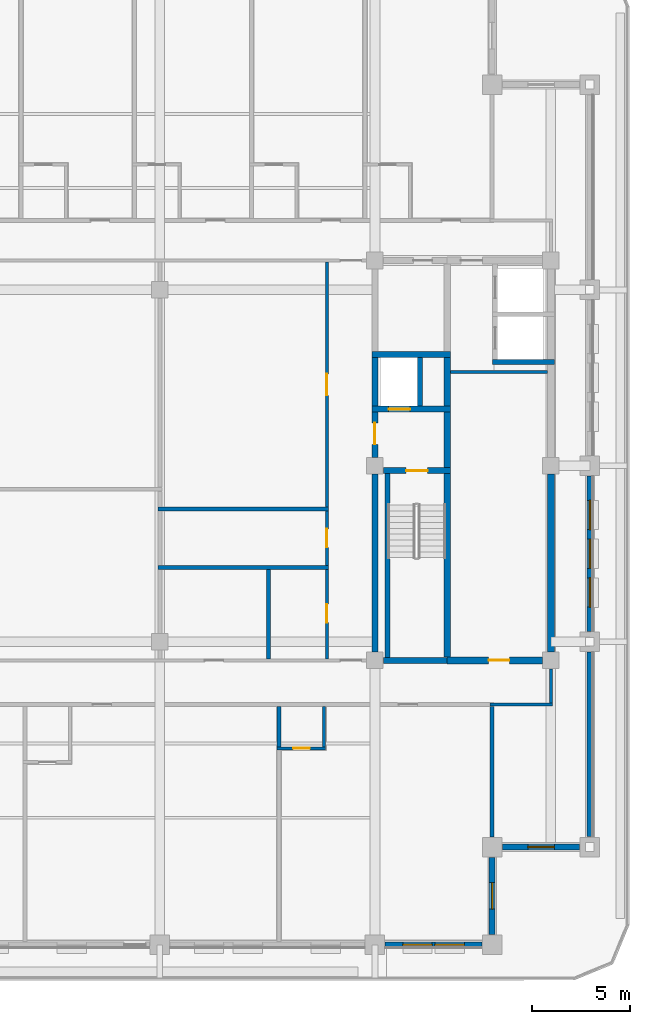
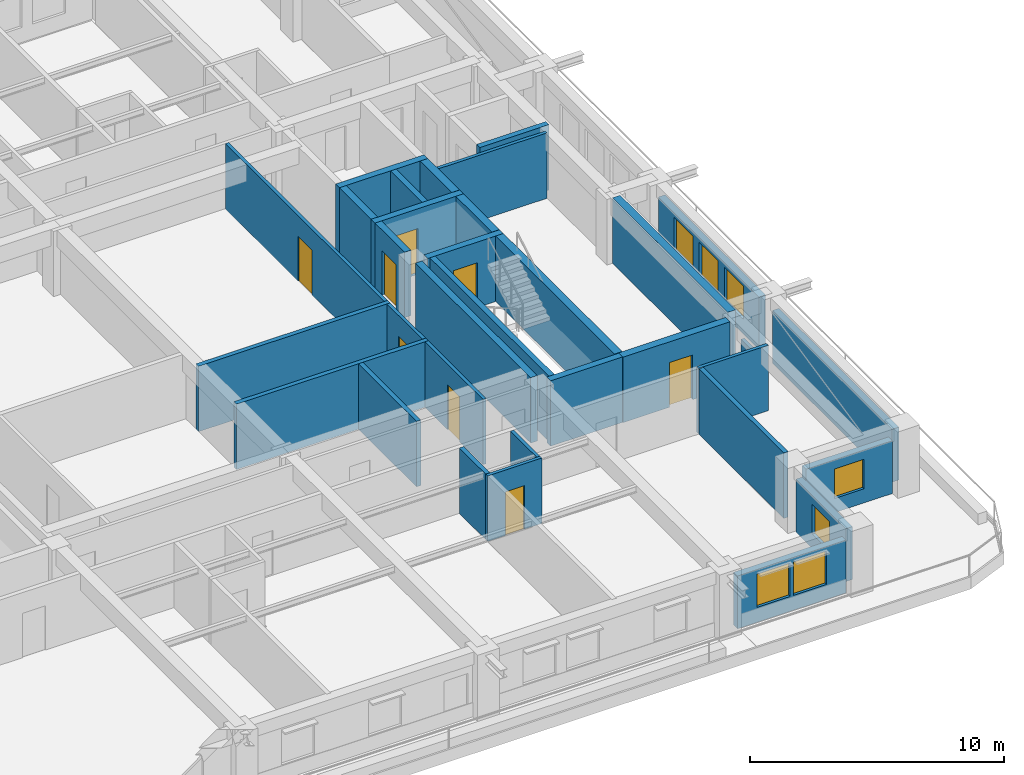
# One storey, part 4 of 14: 33 walls, 8 doors, 7 windows, 15 openings.
"""IFC4 building model written with IfcOpenShell, lengths in metres."""

from ifc_helpers import new_model, si_unit, direction, frame, frame_2d, origin, place, context, subcontext, project, spatial, rectangle, extrude, material, layer, layer_set, type_object, element, fill, save


model = new_model("IFC4")

# Units and contexts
model_context = context("Model", 3, precision=1e-05, world=origin(), true_north=direction((0.0, 1.0)))
body_context = subcontext(model_context, "Body", "Model", "MODEL_VIEW")
ifc_project = project(units=[si_unit("LENGTHUNIT", "METRE"), si_unit("AREAUNIT", "SQUARE_METRE"), si_unit("VOLUMEUNIT", "CUBIC_METRE"), si_unit("PLANEANGLEUNIT", "RADIAN"), si_unit("MASSUNIT", "GRAM", prefix="KILO")], contexts=[model_context])

# Site, building, storey
site_placement = place(None, origin())
site = spatial("IfcSite", under=ifc_project, at=site_placement, CompositionType="ELEMENT")
building_placement = place(site_placement, origin())
building = spatial("IfcBuilding", under=site, at=building_placement, Name="Zulmaris Gate Convention Tower", CompositionType="ELEMENT")
storey_placement = place(building_placement, frame((0.0, 0.0, 194.85986328125)))
storey = spatial("IfcBuildingStorey", under=building, at=storey_placement, Name="L50", CompositionType="ELEMENT", Elevation=194.85986328125)

# Walls
ifc_material_1 = material(Name="Concrete C50/60", Category="concrete")
ifc_layer_1 = layer(ifc_material_1, 0.25, Name="Concrete C50/60")
ifc_layer_set_1 = layer_set([ifc_layer_1], Name="Concrete C50/60")
wall_type_1 = type_object("IfcWallType", Name="CORE-250", PredefinedType="SOLIDWALL", material=ifc_layer_set_1)
wall_1_placement = place(storey_placement, frame((17.02490234375, 5.300048828125, 0.0), z_axis=(0.0, 0.0, 1.0), x_axis=(1.0, 0.0, 0.0)))
element("IfcWall", 1, at=wall_1_placement, inside=storey, type_object=wall_type_1, Name="WL-L50-011", PredefinedType="SOLIDWALL", context=body_context, shape_type="SweptSolid", body=[
    extrude(rectangle(XDim=3.150146484375, YDim=0.25, at=frame_2d((1.5751953125, 0.0))), origin(), (0.0, 0.0, 1.0), 3.150146484375),
])
wall_2_placement = place(storey_placement, frame((11.64990234375, -9.798095703125, 0.0), z_axis=(0.0, 0.0, 1.0), x_axis=(0.0, 1.0, 0.0)))
element("IfcWall", 2, at=wall_2_placement, inside=storey, type_object=wall_type_1, Name="WL-L50-061", PredefinedType="SOLIDWALL", context=body_context, shape_type="SweptSolid", body=[
    extrude(rectangle(XDim=9.39599609375, YDim=0.25, at=frame_2d((4.697998046875, 0.0))), origin(), (0.0, 0.0, 1.0), 3.150146484375),
])
wall_3_placement = place(storey_placement, frame((13.300048828125, 3.052001953125, 0.0), z_axis=(0.0, 0.0, 1.0), x_axis=(0.0, 1.0, 0.0)))
element("IfcWall", 3, at=wall_3_placement, inside=storey, type_object=wall_type_1, Name="WL-L50-062", PredefinedType="SOLIDWALL", context=body_context, shape_type="SweptSolid", body=[
    extrude(rectangle(XDim=2.49609375, YDim=0.25, at=frame_2d((1.248046875, 0.0))), origin(), (0.0, 0.0, 1.0), 3.150146484375),
])
ifc_layer_2 = layer(ifc_material_1, 0.300048828125, Name="Concrete C50/60")
ifc_layer_set_2 = layer_set([ifc_layer_2], Name="Concrete C50/60")
wall_type_2 = type_object("IfcWallType", Name="CORE-300", PredefinedType="SHEAR", material=ifc_layer_set_2)
wall_4_placement = place(storey_placement, frame((11.428955078125, -9.949951171875, 0.0), z_axis=(0.0, 0.0, 1.0), x_axis=(1.0, 0.0, 0.0)))
element("IfcWall", 4, at=wall_4_placement, inside=storey, type_object=wall_type_2, Name="WL-L50-003", PredefinedType="SHEAR", context=body_context, shape_type="SweptSolid", body=[
    extrude(rectangle(XDim=3.27099609375, YDim=0.300048828125, at=frame_2d((1.635498046875, 0.0))), origin(), (0.0, 0.0, 1.0), 3.150146484375),
])

# Wall, opening, door
wall_5_placement = place(storey_placement, frame((11.428955078125, -0.25, 0.0), z_axis=(0.0, 0.0, 1.0), x_axis=(1.0, 0.0, 0.0)))
wall_5 = element("IfcWall", 5, at=wall_5_placement, inside=storey, type_object=wall_type_2, Name="WL-L50-006", PredefinedType="SHEAR", context=body_context, shape_type="SweptSolid", body=[
    extrude(rectangle(XDim=3.446044921875, YDim=0.300048828125, at=frame_2d((1.72314453125, 0.0))), origin(), (0.0, 0.0, 1.0), 3.150146484375),
])
opening_1_placement = place(wall_5_placement, frame((1.1708984375, 0.0, 0.0)))
opening_1 = element("IfcOpeningElement", 6, at=opening_1_placement, cuts=wall_5, Name="Opening D-08", PredefinedType="OPENING", context=body_context, shape_type="SweptSolid", body=[
    extrude(rectangle(XDim=1.10009765625, YDim=2.14990234375, at=frame_2d((0.550048828125, 1.074951171875))), frame((0.0, 0.16015625, 0.0), z_axis=(0.0, -1.0, 0.0), x_axis=(1.0, 0.0, 0.0)), (0.0, 0.0, 1.0), 0.320068359375),
])
ifc_material_2 = material(Name="Fire-Rated Steel", Category="steel")
door_type_1 = type_object("IfcDoorType", Name="DR-1100-FD", OperationType="NOTDEFINED", PredefinedType="DOOR", material=ifc_material_2)
door_1_placement = place(opening_1_placement, origin())
door_1 = element("IfcDoor", 7, at=door_1_placement, inside=storey, type_object=door_type_1, Name="L50 Exit Stair ST-2 Door 04", OperationType="SINGLE_SWING_RIGHT", OverallHeight=2.14990234375, OverallWidth=1.10009765625, PredefinedType="DOOR", context=body_context, shape_type="SweptSolid", body=[
    extrude(rectangle(XDim=1.10009765625, YDim=2.14990234375, at=frame_2d((0.550048828125, 1.074951171875))), frame((0.0, 0.02490234375, 0.0), z_axis=(0.0, -1.0, 0.0), x_axis=(1.0, 0.0, 0.0)), (0.0, 0.0, 1.0), 0.050048828125),
])
fill(opening_1, door_1)

wall_6_placement = place(storey_placement, frame((10.85009765625, 2.89990234375, 0.0), z_axis=(0.0, 0.0, 1.0), x_axis=(1.0, 0.0, 0.0)))
wall_6 = element("IfcWall", 8, at=wall_6_placement, inside=storey, type_object=wall_type_2, Name="WL-L50-009", PredefinedType="SHEAR", context=body_context, shape_type="SweptSolid", body=[
    extrude(rectangle(XDim=4.02490234375, YDim=0.300048828125, at=frame_2d((2.012451171875, 0.0))), origin(), (0.0, 0.0, 1.0), 3.150146484375),
])
opening_2_placement = place(wall_6_placement, frame((0.85009765625, 0.0, 0.0)))
opening_2 = element("IfcOpeningElement", 9, at=opening_2_placement, cuts=wall_6, Name="Opening D-06", PredefinedType="OPENING", context=body_context, shape_type="SweptSolid", body=[
    extrude(rectangle(XDim=1.10009765625, YDim=2.199951171875, at=frame_2d((0.550048828125, 1.10009765625))), frame((0.0, 0.16015625, 0.0), z_axis=(0.0, -1.0, 0.0), x_axis=(1.0, 0.0, 0.0)), (0.0, 0.0, 1.0), 0.320068359375),
])
ifc_material_3 = material(Name="Brushed Stainless Steel", Category="steel")
door_type_2 = type_object("IfcDoorType", Name="LD-1100", OperationType="NOTDEFINED", PredefinedType="DOOR", material=ifc_material_3)
door_2_placement = place(opening_2_placement, origin())
door_2 = element("IfcDoor", 10, at=door_2_placement, inside=storey, type_object=door_type_2, Name="L50 Lift Landing Door LF-02 06", OperationType="SLIDING_TO_RIGHT", OverallHeight=2.199951171875, OverallWidth=1.10009765625, PredefinedType="DOOR", context=body_context, shape_type="SweptSolid", body=[
    extrude(rectangle(XDim=1.10009765625, YDim=2.199951171875, at=frame_2d((0.550048828125, 1.10009765625))), frame((0.0, 0.02490234375, 0.0), z_axis=(0.0, -1.0, 0.0), x_axis=(1.0, 0.0, 0.0)), (0.0, 0.0, 1.0), 0.050048828125),
])
fill(opening_2, door_2)

# Walls
wall_7_placement = place(storey_placement, frame((10.85009765625, 5.699951171875, 0.0), z_axis=(0.0, 0.0, 1.0), x_axis=(1.0, 0.0, 0.0)))
element("IfcWall", 11, at=wall_7_placement, inside=storey, type_object=wall_type_2, Name="WL-L50-013", PredefinedType="SHEAR", context=body_context, shape_type="SweptSolid", body=[
    extrude(rectangle(XDim=4.02490234375, YDim=0.300048828125, at=frame_2d((2.012451171875, 0.0))), origin(), (0.0, 0.0, 1.0), 3.150146484375),
])
wall_8_placement = place(storey_placement, frame((11.0, -9.52099609375, 0.0), z_axis=(0.0, 0.0, 1.0), x_axis=(0.0, 1.0, 0.0)))
element("IfcWall", 12, at=wall_8_placement, inside=storey, type_object=wall_type_2, Name="WL-L50-057", PredefinedType="SHEAR", context=body_context, shape_type="SweptSolid", body=[
    extrude(rectangle(XDim=9.092041015625, YDim=0.300048828125, at=frame_2d((4.5458984375, 0.0))), origin(), (0.0, 0.0, 1.0), 3.150146484375),
])

# Wall, opening, door
wall_9_placement = place(storey_placement, frame((11.0, 0.428955078125, 0.0), z_axis=(0.0, 0.0, 1.0), x_axis=(0.0, 1.0, 0.0)))
wall_9 = element("IfcWall", 13, at=wall_9_placement, inside=storey, type_object=wall_type_2, Name="WL-L50-058", PredefinedType="SHEAR", context=body_context, shape_type="SweptSolid", body=[
    extrude(rectangle(XDim=2.319091796875, YDim=0.300048828125, at=frame_2d((1.15966796875, 0.0))), origin(), (0.0, 0.0, 1.0), 3.150146484375),
])
opening_3_placement = place(wall_9_placement, frame((0.6708984375, 0.0, 0.0)))
opening_3 = element("IfcOpeningElement", 14, at=opening_3_placement, cuts=wall_9, Name="Opening D-08", PredefinedType="OPENING", context=body_context, shape_type="SweptSolid", body=[
    extrude(rectangle(XDim=1.10009765625, YDim=2.14990234375, at=frame_2d((0.550048828125, 1.074951171875))), frame((0.0, 0.16015625, 0.0), z_axis=(0.0, -1.0, 0.0), x_axis=(1.0, 0.0, 0.0)), (0.0, 0.0, 1.0), 0.320068359375),
])
door_3_placement = place(opening_3_placement, origin())
door_3 = element("IfcDoor", 15, at=door_3_placement, inside=storey, type_object=door_type_1, Name="L50 East Firefighting Lobby Door 05", OperationType="SINGLE_SWING_LEFT", OverallHeight=2.14990234375, OverallWidth=1.10009765625, PredefinedType="DOOR", context=body_context, shape_type="SweptSolid", body=[
    extrude(rectangle(XDim=1.10009765625, YDim=2.14990234375, at=frame_2d((0.550048828125, 1.074951171875))), frame((0.0, 0.02490234375, 0.0), z_axis=(0.0, -1.0, 0.0), x_axis=(1.0, 0.0, 0.0)), (0.0, 0.0, 1.0), 0.050048828125),
])
fill(opening_3, door_3)

# Wall
wall_10_placement = place(storey_placement, frame((11.0, 3.052001953125, 0.0), z_axis=(0.0, 0.0, 1.0), x_axis=(0.0, 1.0, 0.0)))
element("IfcWall", 16, at=wall_10_placement, inside=storey, type_object=wall_type_2, Name="WL-L50-059", PredefinedType="SHEAR", context=body_context, shape_type="SweptSolid", body=[
    extrude(rectangle(XDim=2.49609375, YDim=0.300048828125, at=frame_2d((1.248046875, 0.0))), origin(), (0.0, 0.0, 1.0), 3.150146484375),
])

# Wall, opening, door
ifc_material_4 = material(Name="Concrete C55/67", Category="concrete")
ifc_layer_3 = layer(ifc_material_4, 0.35009765625, Name="Concrete C55/67")
ifc_layer_set_3 = layer_set([ifc_layer_3], Name="Concrete C55/67")
wall_type_3 = type_object("IfcWallType", Name="CORE-350", PredefinedType="SHEAR", material=ifc_layer_set_3)
wall_11_placement = place(storey_placement, frame((14.699951171875, -9.949951171875, 0.0), z_axis=(0.0, 0.0, 1.0), x_axis=(1.0, 0.0, 0.0)))
wall_11 = element("IfcWall", 17, at=wall_11_placement, inside=storey, type_object=wall_type_3, Name="WL-L50-004", PredefinedType="SHEAR", context=body_context, shape_type="SweptSolid", body=[
    extrude(rectangle(XDim=4.87109375, YDim=0.35009765625, at=frame_2d((2.435546875, 0.0))), origin(), (0.0, 0.0, 1.0), 3.150146484375),
])
opening_4_placement = place(wall_11_placement, frame((2.125, 0.0, 0.0)))
opening_4 = element("IfcOpeningElement", 18, at=opening_4_placement, cuts=wall_11, Name="Opening D-09", PredefinedType="OPENING", context=body_context, shape_type="SweptSolid", body=[
    extrude(rectangle(XDim=1.050048828125, YDim=2.14990234375, at=frame_2d((0.52490234375, 1.074951171875))), frame((0.0, 0.18505859375, 0.0), z_axis=(0.0, -1.0, 0.0), x_axis=(1.0, 0.0, 0.0)), (0.0, 0.0, 1.0), 0.3701171875),
])
door_type_3 = type_object("IfcDoorType", Name="DR-1050-FD", OperationType="NOTDEFINED", PredefinedType="DOOR", material=ifc_material_2)
door_4_placement = place(opening_4_placement, origin())
door_4 = element("IfcDoor", 19, at=door_4_placement, inside=storey, type_object=door_type_3, Name="L50 Housekeeping Hall Door 17", OperationType="SINGLE_SWING_RIGHT", OverallHeight=2.14990234375, OverallWidth=1.050048828125, PredefinedType="DOOR", context=body_context, shape_type="SweptSolid", body=[
    extrude(rectangle(XDim=1.050048828125, YDim=2.14990234375, at=frame_2d((0.52490234375, 1.074951171875))), frame((0.0, 0.02490234375, 0.0), z_axis=(0.0, -1.0, 0.0), x_axis=(1.0, 0.0, 0.0)), (0.0, 0.0, 1.0), 0.050048828125),
])
fill(opening_4, door_4)

# Walls
wall_12_placement = place(storey_placement, frame((14.699951171875, -9.77294921875, 0.0), z_axis=(0.0, 0.0, 1.0), x_axis=(0.0, 1.0, 0.0)))
element("IfcWall", 20, at=wall_12_placement, inside=storey, type_object=wall_type_3, Name="WL-L50-063", PredefinedType="SHEAR", context=body_context, shape_type="SweptSolid", body=[
    extrude(rectangle(XDim=9.370849609375, YDim=0.35009765625, at=frame_2d((4.685546875, 0.0))), origin(), (0.0, 0.0, 1.0), 3.150146484375),
])
wall_13_placement = place(storey_placement, frame((14.699951171875, -0.097900390625, 0.0), z_axis=(0.0, 0.0, 1.0), x_axis=(0.0, 1.0, 0.0)))
element("IfcWall", 21, at=wall_13_placement, inside=storey, type_object=wall_type_3, Name="WL-L50-064", PredefinedType="SHEAR", context=body_context, shape_type="SweptSolid", body=[
    extrude(rectangle(XDim=2.845947265625, YDim=0.35009765625, at=frame_2d((1.4228515625, 0.0))), origin(), (0.0, 0.0, 1.0), 3.150146484375),
])
wall_14_placement = place(storey_placement, frame((14.699951171875, 3.052001953125, 0.0), z_axis=(0.0, 0.0, 1.0), x_axis=(0.0, 1.0, 0.0)))
element("IfcWall", 22, at=wall_14_placement, inside=storey, type_object=wall_type_3, Name="WL-L50-065", PredefinedType="SHEAR", context=body_context, shape_type="SweptSolid", body=[
    extrude(rectangle(XDim=2.49609375, YDim=0.35009765625, at=frame_2d((1.248046875, 0.0))), origin(), (0.0, 0.0, 1.0), 3.150146484375),
])
wall_15_placement = place(storey_placement, frame((20.0, -9.52099609375, 0.0), z_axis=(0.0, 0.0, 1.0), x_axis=(0.0, 1.0, 0.0)))
element("IfcWall", 23, at=wall_15_placement, inside=storey, type_object=wall_type_3, Name="WL-L50-069", PredefinedType="SHEAR", context=body_context, shape_type="SweptSolid", body=[
    extrude(rectangle(XDim=9.092041015625, YDim=0.35009765625, at=frame_2d((4.5458984375, 0.0))), origin(), (0.0, 0.0, 1.0), 3.150146484375),
])

# Wall, opening, door
ifc_material_5 = material(Name="Gypsum Metal Stud Partition")
ifc_layer_4 = layer(ifc_material_5, 0.14990234375, Name="Gypsum Metal Stud Partition")
ifc_layer_set_4 = layer_set([ifc_layer_4], Name="Gypsum Metal Stud Partition")
wall_type_4 = type_object("IfcWallType", Name="PART-150", PredefinedType="PARTITIONING", material=ifc_layer_set_4)
wall_16_placement = place(storey_placement, frame((6.0, -14.449951171875, 0.0), z_axis=(0.0, 0.0, 1.0), x_axis=(1.0, 0.0, 0.0)))
wall_16 = element("IfcWall", 24, at=wall_16_placement, inside=storey, type_object=wall_type_4, Name="WL-L50-020", PredefinedType="PARTITIONING", context=body_context, shape_type="SweptSolid", body=[
    extrude(rectangle(XDim=2.47509765625, YDim=0.14990234375, at=frame_2d((1.237548828125, 0.0))), origin(), (0.0, 0.0, 1.0), 3.150146484375),
])
opening_5_placement = place(wall_16_placement, frame((0.824951171875, 0.0, 0.0)))
opening_5 = element("IfcOpeningElement", 25, at=opening_5_placement, cuts=wall_16, Name="Opening D-17", PredefinedType="OPENING", context=body_context, shape_type="SweptSolid", body=[
    extrude(rectangle(XDim=0.85009765625, YDim=2.10009765625, at=frame_2d((0.425048828125, 1.050048828125))), frame((0.0, 0.0849609375, 0.0), z_axis=(0.0, -1.0, 0.0), x_axis=(1.0, 0.0, 0.0)), (0.0, 0.0, 1.0), 0.169921875),
])
ifc_material_6 = material(Name="Moisture-Resistant Hardwood Timber", Category="wood")
door_type_4 = type_object("IfcDoorType", Name="DR-850", OperationType="NOTDEFINED", PredefinedType="DOOR", material=ifc_material_6)
door_5_placement = place(opening_5_placement, origin())
door_5 = element("IfcDoor", 26, at=door_5_placement, inside=storey, type_object=door_type_4, Name="L50 En-Suite Door 38", OperationType="SINGLE_SWING_LEFT", OverallHeight=2.10009765625, OverallWidth=0.85009765625, PredefinedType="DOOR", context=body_context, shape_type="SweptSolid", body=[
    extrude(rectangle(XDim=0.85009765625, YDim=2.10009765625, at=frame_2d((0.425048828125, 1.050048828125))), frame((0.0, 0.02490234375, 0.0), z_axis=(0.0, -1.0, 0.0), x_axis=(1.0, 0.0, 0.0)), (0.0, 0.0, 1.0), 0.050048828125),
])
fill(opening_5, door_5)

# Walls
wall_17_placement = place(storey_placement, frame((16.89990234375, -12.199951171875, 0.0), z_axis=(0.0, 0.0, 1.0), x_axis=(1.0, 0.0, 0.0)))
element("IfcWall", 27, at=wall_17_placement, inside=storey, type_object=wall_type_4, Name="WL-L50-022", PredefinedType="PARTITIONING", context=body_context, shape_type="SweptSolid", body=[
    extrude(rectangle(XDim=3.175048828125, YDim=0.14990234375, at=frame_2d((1.58740234375, 0.0))), origin(), (0.0, 0.0, 1.0), 3.150146484375),
])
wall_18_placement = place(storey_placement, frame((14.8779296875, 4.800048828125, 0.0), z_axis=(0.0, 0.0, 1.0), x_axis=(1.0, 0.0, 0.0)))
element("IfcWall", 28, at=wall_18_placement, inside=storey, type_object=wall_type_4, Name="WL-L50-028", PredefinedType="PARTITIONING", context=body_context, shape_type="SweptSolid", body=[
    extrude(rectangle(XDim=4.944091796875, YDim=0.14990234375, at=frame_2d((2.47216796875, 0.0))), origin(), (0.0, 0.0, 1.0), 3.150146484375),
])
wall_19_placement = place(storey_placement, frame((8.39990234375, -14.3720703125, 0.0), z_axis=(0.0, 0.0, 1.0), x_axis=(0.0, 1.0, 0.0)))
element("IfcWall", 29, at=wall_19_placement, inside=storey, type_object=wall_type_4, Name="WL-L50-103", PredefinedType="PARTITIONING", context=body_context, shape_type="SweptSolid", body=[
    extrude(rectangle(XDim=2.069091796875, YDim=0.14990234375, at=frame_2d((1.03466796875, 0.0))), origin(), (0.0, 0.0, 1.0), 3.150146484375),
])

# Wall, opening, door
wall_20_placement = place(storey_placement, frame((8.550048828125, -9.8720703125, 0.0), z_axis=(0.0, 0.0, 1.0), x_axis=(0.0, 1.0, 0.0)))
wall_20 = element("IfcWall", 30, at=wall_20_placement, inside=storey, type_object=wall_type_4, Name="WL-L50-104", PredefinedType="PARTITIONING", context=body_context, shape_type="SweptSolid", body=[
    extrude(rectangle(XDim=4.569091796875, YDim=0.14990234375, at=frame_2d((2.28466796875, 0.0))), origin(), (0.0, 0.0, 1.0), 3.150146484375),
])
opening_6_placement = place(wall_20_placement, frame((1.846923828125, 0.0, 0.0)))
opening_6 = element("IfcOpeningElement", 31, at=opening_6_placement, cuts=wall_20, Name="Opening D-11", PredefinedType="OPENING", context=body_context, shape_type="SweptSolid", body=[
    extrude(rectangle(XDim=0.949951171875, YDim=2.14990234375, at=frame_2d((0.47509765625, 1.074951171875))), frame((0.0, 0.0849609375, 0.0), z_axis=(0.0, -1.0, 0.0), x_axis=(1.0, 0.0, 0.0)), (0.0, 0.0, 1.0), 0.169921875),
])
ifc_material_7 = material(Name="Fire-Rated Timber", Category="wood")
door_type_5 = type_object("IfcDoorType", Name="DR-950-FD", OperationType="NOTDEFINED", PredefinedType="DOOR", material=ifc_material_7)
door_6_placement = place(opening_6_placement, origin())
door_6 = element("IfcDoor", 32, at=door_6_placement, inside=storey, type_object=door_type_5, Name="L50 Accessible WC Door 43", OperationType="SINGLE_SWING_RIGHT", OverallHeight=2.14990234375, OverallWidth=0.949951171875, PredefinedType="DOOR", context=body_context, shape_type="SweptSolid", body=[
    extrude(rectangle(XDim=0.949951171875, YDim=2.14990234375, at=frame_2d((0.47509765625, 1.074951171875))), frame((0.0, 0.02490234375, 0.0), z_axis=(0.0, -1.0, 0.0), x_axis=(1.0, 0.0, 0.0)), (0.0, 0.0, 1.0), 0.050048828125),
])
fill(opening_6, door_6)

wall_21_placement = place(storey_placement, frame((8.550048828125, -5.096923828125, 0.0), z_axis=(0.0, 0.0, 1.0), x_axis=(0.0, 1.0, 0.0)))
wall_21 = element("IfcWall", 33, at=wall_21_placement, inside=storey, type_object=wall_type_4, Name="WL-L50-105", PredefinedType="PARTITIONING", context=body_context, shape_type="SweptSolid", body=[
    extrude(rectangle(XDim=2.7939453125, YDim=0.14990234375, at=frame_2d((1.39697265625, 0.0))), origin(), (0.0, 0.0, 1.0), 3.150146484375),
])
opening_7_placement = place(wall_21_placement, frame((0.922119140625, 0.0, 0.0)))
opening_7 = element("IfcOpeningElement", 34, at=opening_7_placement, cuts=wall_21, Name="Opening D-11", PredefinedType="OPENING", context=body_context, shape_type="SweptSolid", body=[
    extrude(rectangle(XDim=0.949951171875, YDim=2.14990234375, at=frame_2d((0.47509765625, 1.074951171875))), frame((0.0, 0.0849609375, 0.0), z_axis=(0.0, -1.0, 0.0), x_axis=(1.0, 0.0, 0.0)), (0.0, 0.0, 1.0), 0.169921875),
])
door_7_placement = place(opening_7_placement, origin())
door_7 = element("IfcDoor", 35, at=door_7_placement, inside=storey, type_object=door_type_5, Name="L50 Public WC Door 42", OperationType="SINGLE_SWING_LEFT", OverallHeight=2.14990234375, OverallWidth=0.949951171875, PredefinedType="DOOR", context=body_context, shape_type="SweptSolid", body=[
    extrude(rectangle(XDim=0.949951171875, YDim=2.14990234375, at=frame_2d((0.47509765625, 1.074951171875))), frame((0.0, 0.02490234375, 0.0), z_axis=(0.0, -1.0, 0.0), x_axis=(1.0, 0.0, 0.0)), (0.0, 0.0, 1.0), 0.050048828125),
])
fill(opening_7, door_7)

wall_22_placement = place(storey_placement, frame((8.550048828125, -2.096923828125, 0.0), z_axis=(0.0, 0.0, 1.0), x_axis=(0.0, 1.0, 0.0)))
wall_22 = element("IfcWall", 36, at=wall_22_placement, inside=storey, type_object=wall_type_4, Name="WL-L50-106", PredefinedType="PARTITIONING", context=body_context, shape_type="SweptSolid", body=[
    extrude(rectangle(XDim=12.51904296875, YDim=0.14990234375, at=frame_2d((6.259521484375, 0.0))), origin(), (0.0, 0.0, 1.0), 3.150146484375),
])
opening_8_placement = place(wall_22_placement, frame((5.697021484375, 0.0, 0.0)))
opening_8 = element("IfcOpeningElement", 37, at=opening_8_placement, cuts=wall_22, Name="Opening D-08", PredefinedType="OPENING", context=body_context, shape_type="SweptSolid", body=[
    extrude(rectangle(XDim=1.10009765625, YDim=2.14990234375, at=frame_2d((0.550048828125, 1.074951171875))), frame((0.0, 0.0849609375, 0.0), z_axis=(0.0, -1.0, 0.0), x_axis=(1.0, 0.0, 0.0)), (0.0, 0.0, 1.0), 0.169921875),
])
door_8_placement = place(opening_8_placement, origin())
door_8 = element("IfcDoor", 38, at=door_8_placement, inside=storey, type_object=door_type_1, Name="L50 Breakout Room Door 41", OperationType="SINGLE_SWING_RIGHT", OverallHeight=2.14990234375, OverallWidth=1.10009765625, PredefinedType="DOOR", context=body_context, shape_type="SweptSolid", body=[
    extrude(rectangle(XDim=1.10009765625, YDim=2.14990234375, at=frame_2d((0.550048828125, 1.074951171875))), frame((0.0, 0.02490234375, 0.0), z_axis=(0.0, -1.0, 0.0), x_axis=(1.0, 0.0, 0.0)), (0.0, 0.0, 1.0), 0.050048828125),
])
fill(opening_8, door_8)

# Walls
wall_23_placement = place(storey_placement, frame((20.0, -12.1220703125, 0.0), z_axis=(0.0, 0.0, 1.0), x_axis=(0.0, 1.0, 0.0)))
element("IfcWall", 39, at=wall_23_placement, inside=storey, type_object=wall_type_4, Name="WL-L50-112", PredefinedType="PARTITIONING", context=body_context, shape_type="SweptSolid", body=[
    extrude(rectangle(XDim=1.740966796875, YDim=0.14990234375, at=frame_2d((0.87060546875, 0.0))), origin(), (0.0, 0.0, 1.0), 2.342041015625),
])
ifc_material_8 = material(Name="Autoclaved Aerated Concrete Block and Plasterboard", Category="concrete")
ifc_layer_5 = layer(ifc_material_8, 0.199951171875, Name="Autoclaved Aerated Concrete Block and Plasterboard")
ifc_layer_set_5 = layer_set([ifc_layer_5], Name="Autoclaved Aerated Concrete Block and Plasterboard")
wall_type_5 = type_object("IfcWallType", Name="PART-200", PredefinedType="PARTITIONING", material=ifc_layer_set_5)
for number, where, z_axis, x_axis, name in (
    (40, (-0.10009765625, -5.199951171875, 0.0), (0.0, 0.0, 1.0), (1.0, 0.0, 0.0), "WL-L50-025"),
    (41, (-0.10009765625, -2.199951171875, 0.0), (0.0, 0.0, 1.0), (1.0, 0.0, 0.0), "WL-L50-026"),
):
    element("IfcWall", number, at=place(storey_placement, frame(where, z_axis=z_axis, x_axis=x_axis)), inside=storey, type_object=wall_type_5, Name=name, PredefinedType="PARTITIONING", context=body_context, shape_type="SweptSolid", body=[
        extrude(rectangle(XDim=8.72509765625, YDim=0.199951171875, at=frame_2d((4.362548828125, 0.0))), origin(), (0.0, 0.0, 1.0), 3.150146484375),
    ])
wall_24_placement = place(storey_placement, frame((5.550048828125, -9.8720703125, 0.0), z_axis=(0.0, 0.0, 1.0), x_axis=(0.0, 1.0, 0.0)))
element("IfcWall", 42, at=wall_24_placement, inside=storey, type_object=wall_type_5, Name="WL-L50-099", PredefinedType="PARTITIONING", context=body_context, shape_type="SweptSolid", body=[
    extrude(rectangle(XDim=4.569091796875, YDim=0.199951171875, at=frame_2d((2.28466796875, 0.0))), origin(), (0.0, 0.0, 1.0), 3.150146484375),
])
wall_25_placement = place(storey_placement, frame((6.10009765625, -14.3720703125, 0.0), z_axis=(0.0, 0.0, 1.0), x_axis=(0.0, 1.0, 0.0)))
element("IfcWall", 43, at=wall_25_placement, inside=storey, type_object=wall_type_5, Name="WL-L50-101", PredefinedType="PARTITIONING", context=body_context, shape_type="SweptSolid", body=[
    extrude(rectangle(XDim=2.069091796875, YDim=0.199951171875, at=frame_2d((1.03466796875, 0.0))), origin(), (0.0, 0.0, 1.0), 3.150146484375),
])
wall_26_placement = place(storey_placement, frame((17.0, -18.993896484375, 0.0), z_axis=(0.0, 0.0, 1.0), x_axis=(0.0, 1.0, 0.0)))
element("IfcWall", 44, at=wall_26_placement, inside=storey, type_object=wall_type_5, Name="WL-L50-110", PredefinedType="PARTITIONING", context=body_context, shape_type="SweptSolid", body=[
    extrude(rectangle(XDim=6.69091796875, YDim=0.199951171875, at=frame_2d((3.345458984375, 0.0))), origin(), (0.0, 0.0, 1.0), 3.150146484375),
])

# Wall, opening, window
ifc_material_9 = material(Name="Precast concrete C40/50", Category="concrete")
ifc_layer_6 = layer(ifc_material_9, 0.300048828125, Name="Precast concrete C40/50")
ifc_layer_set_6 = layer_set([ifc_layer_6], Name="Precast concrete C40/50")
wall_type_6 = type_object("IfcWallType", Name="PRECAST-PIER-300", PredefinedType="STANDARD", material=ifc_layer_set_6)
wall_27_placement = place(storey_placement, frame((17.0, -23.969970703125, 0.0), z_axis=(0.0, 0.0, 1.0), x_axis=(0.0, 1.0, 0.0)))
wall_27 = element("IfcWall", 45, at=wall_27_placement, inside=storey, type_object=wall_type_6, Name="EW-L50-NOTCH-SE1_0", PredefinedType="STANDARD", context=body_context, shape_type="SweptSolid", body=[
    extrude(rectangle(XDim=3.93994140625, YDim=0.300048828125, at=frame_2d((1.969970703125, 0.0))), origin(), (0.0, 0.0, 1.0), 2.542236328125),
])
opening_9_placement = place(wall_27_placement, frame((1.294921875, 0.0, 0.679931640625)))
opening_9 = element("IfcOpeningElement", 46, at=opening_9_placement, cuts=wall_27, Name="Opening W-10", PredefinedType="OPENING", context=body_context, shape_type="SweptSolid", body=[
    extrude(rectangle(XDim=1.35009765625, YDim=1.419921875, at=frame_2d((0.675048828125, 0.7099609375))), frame((0.0, 0.16015625, 0.0), z_axis=(0.0, -1.0, 0.0), x_axis=(1.0, 0.0, 0.0)), (0.0, 0.0, 1.0), 0.320068359375),
])
ifc_material_10 = material(Name="Low-E Laminated Double Glazing in Aluminium Frame", Category="aluminium")
window_type_1 = type_object("IfcWindowType", Name="WIN-1350x2000", PartitioningType="SINGLE_PANEL", PredefinedType="WINDOW", material=ifc_material_10)
window_1_placement = place(opening_9_placement, origin())
window_1 = element("IfcWindow", 47, at=window_1_placement, inside=storey, type_object=window_type_1, Name="WN-EW-L50-NOTCH-SE1_0", OverallHeight=1.419921875, OverallWidth=1.35009765625, PartitioningType="SINGLE_PANEL", PredefinedType="WINDOW", context=body_context, shape_type="SweptSolid", body=[
    extrude(rectangle(XDim=1.35009765625, YDim=1.419921875, at=frame_2d((0.675048828125, 0.7099609375))), frame((0.0, 0.030029296875, 0.0), z_axis=(0.0, -1.0, 0.0), x_axis=(1.0, 0.0, 0.0)), (0.0, 0.0, 1.0), 0.06005859375),
])
fill(opening_9, window_1)

wall_28_placement = place(storey_placement, frame((17.530029296875, -19.5, 0.0), z_axis=(0.0, 0.0, 1.0), x_axis=(1.0, 0.0, 0.0)))
wall_28 = element("IfcWall", 48, at=wall_28_placement, inside=storey, type_object=wall_type_6, Name="EW-L50-NOTCH-SE2_0", PredefinedType="STANDARD", context=body_context, shape_type="SweptSolid", body=[
    extrude(rectangle(XDim=3.93994140625, YDim=0.300048828125, at=frame_2d((1.969970703125, 0.0))), origin(), (0.0, 0.0, 1.0), 2.542236328125),
])
opening_10_placement = place(wall_28_placement, frame((1.294921875, 0.0, 0.679931640625)))
opening_10 = element("IfcOpeningElement", 49, at=opening_10_placement, cuts=wall_28, Name="Opening W-10", PredefinedType="OPENING", context=body_context, shape_type="SweptSolid", body=[
    extrude(rectangle(XDim=1.35009765625, YDim=1.419921875, at=frame_2d((0.675048828125, 0.7099609375))), frame((0.0, 0.16015625, 0.0), z_axis=(0.0, -1.0, 0.0), x_axis=(1.0, 0.0, 0.0)), (0.0, 0.0, 1.0), 0.320068359375),
])
window_2_placement = place(opening_10_placement, origin())
window_2 = element("IfcWindow", 50, at=window_2_placement, inside=storey, type_object=window_type_1, Name="WN-EW-L50-NOTCH-SE2_0", OverallHeight=1.419921875, OverallWidth=1.35009765625, PartitioningType="SINGLE_PANEL", PredefinedType="WINDOW", context=body_context, shape_type="SweptSolid", body=[
    extrude(rectangle(XDim=1.35009765625, YDim=1.419921875, at=frame_2d((0.675048828125, 0.7099609375))), frame((0.0, 0.030029296875, 0.0), z_axis=(0.0, -1.0, 0.0), x_axis=(1.0, 0.0, 0.0)), (0.0, 0.0, 1.0), 0.06005859375),
])
fill(opening_10, window_2)

# Wall, openings, windows
wall_29_placement = place(storey_placement, frame((11.530029296875, -24.5, 0.0), z_axis=(0.0, 0.0, 1.0), x_axis=(1.0, 0.0, 0.0)))
wall_29 = element("IfcWall", 51, at=wall_29_placement, inside=storey, type_object=wall_type_6, Name="EW-L50-S-3_0", PredefinedType="STANDARD", context=body_context, shape_type="SweptSolid", body=[
    extrude(rectangle(XDim=4.93994140625, YDim=0.300048828125, at=frame_2d((2.469970703125, 0.0))), origin(), (0.0, 0.0, 1.0), 2.542236328125),
])
opening_11_placement = place(wall_29_placement, frame((0.89697265625, 0.0, 0.719970703125)))
opening_11 = element("IfcOpeningElement", 52, at=opening_11_placement, cuts=wall_29, Name="Opening W-03", PredefinedType="OPENING", context=body_context, shape_type="SweptSolid", body=[
    extrude(rectangle(XDim=1.5, YDim=1.60009765625, at=frame_2d((0.75, 0.800048828125))), frame((0.0, 0.16015625, 0.0), z_axis=(0.0, -1.0, 0.0), x_axis=(1.0, 0.0, 0.0)), (0.0, 0.0, 1.0), 0.320068359375),
])
opening_12_placement = place(wall_29_placement, frame((2.54296875, 0.0, 0.719970703125)))
opening_12 = element("IfcOpeningElement", 53, at=opening_12_placement, cuts=wall_29, Name="Opening W-03", PredefinedType="OPENING", context=body_context, shape_type="SweptSolid", body=[
    extrude(rectangle(XDim=1.5, YDim=1.60009765625, at=frame_2d((0.75, 0.800048828125))), frame((0.0, 0.16015625, 0.0), z_axis=(0.0, -1.0, 0.0), x_axis=(1.0, 0.0, 0.0)), (0.0, 0.0, 1.0), 0.320068359375),
])
window_type_2 = type_object("IfcWindowType", Name="WIN-1500x2100", PartitioningType="SINGLE_PANEL", PredefinedType="WINDOW", material=ifc_material_10)
window_3_placement = place(opening_11_placement, origin())
window_3 = element("IfcWindow", 54, at=window_3_placement, inside=storey, type_object=window_type_2, Name="WN-EW-L50-S-3_0-1", OverallHeight=1.60009765625, OverallWidth=1.5, PartitioningType="SINGLE_PANEL", PredefinedType="WINDOW", context=body_context, shape_type="SweptSolid", body=[
    extrude(rectangle(XDim=1.5, YDim=1.60009765625, at=frame_2d((0.75, 0.800048828125))), frame((0.0, 0.030029296875, 0.0), z_axis=(0.0, -1.0, 0.0), x_axis=(1.0, 0.0, 0.0)), (0.0, 0.0, 1.0), 0.06005859375),
])
fill(opening_11, window_3)
window_4_placement = place(opening_12_placement, origin())
window_4 = element("IfcWindow", 55, at=window_4_placement, inside=storey, type_object=window_type_2, Name="WN-EW-L50-S-3_0-2", OverallHeight=1.60009765625, OverallWidth=1.5, PartitioningType="SINGLE_PANEL", PredefinedType="WINDOW", context=body_context, shape_type="SweptSolid", body=[
    extrude(rectangle(XDim=1.5, YDim=1.60009765625, at=frame_2d((0.75, 0.800048828125))), frame((0.0, 0.030029296875, 0.0), z_axis=(0.0, -1.0, 0.0), x_axis=(1.0, 0.0, 0.0)), (0.0, 0.0, 1.0), 0.06005859375),
])
fill(opening_12, window_4)

# Wall
wall_30_placement = place(storey_placement, frame((22.0, -18.969970703125, 0.0), z_axis=(0.0, 0.0, 1.0), x_axis=(0.0, 1.0, 0.0)))
element("IfcWall", 56, at=wall_30_placement, inside=storey, type_object=wall_type_6, Name="EW-L50-E-0_0", PredefinedType="STANDARD", context=body_context, shape_type="SweptSolid", body=[
    extrude(rectangle(XDim=9.43994140625, YDim=0.300048828125, at=frame_2d((4.719970703125, 0.0))), origin(), (0.0, 0.0, 1.0), 2.542236328125),
])

# Wall, openings, windows
wall_31_placement = place(storey_placement, frame((22.0, -8.469970703125, 0.0), z_axis=(0.0, 0.0, 1.0), x_axis=(0.0, 1.0, 0.0)))
wall_31 = element("IfcWall", 57, at=wall_31_placement, inside=storey, type_object=wall_type_6, Name="EW-L50-E-1_0", PredefinedType="STANDARD", context=body_context, shape_type="SweptSolid", body=[
    extrude(rectangle(XDim=7.93994140625, YDim=0.300048828125, at=frame_2d((3.969970703125, 0.0))), origin(), (0.0, 0.0, 1.0), 2.542236328125),
])
opening_13_placement = place(wall_31_placement, frame((1.235107421875, 0.0, 0.719970703125)))
opening_13 = element("IfcOpeningElement", 58, at=opening_13_placement, cuts=wall_31, Name="Opening W-03", PredefinedType="OPENING", context=body_context, shape_type="SweptSolid", body=[
    extrude(rectangle(XDim=1.5, YDim=1.60009765625, at=frame_2d((0.75, 0.800048828125))), frame((0.0, 0.16015625, 0.0), z_axis=(0.0, -1.0, 0.0), x_axis=(1.0, 0.0, 0.0)), (0.0, 0.0, 1.0), 0.320068359375),
])
opening_14_placement = place(wall_31_placement, frame((3.219970703125, 0.0, 0.719970703125)))
opening_14 = element("IfcOpeningElement", 59, at=opening_14_placement, cuts=wall_31, Name="Opening W-03", PredefinedType="OPENING", context=body_context, shape_type="SweptSolid", body=[
    extrude(rectangle(XDim=1.5, YDim=1.60009765625, at=frame_2d((0.75, 0.800048828125))), frame((0.0, 0.16015625, 0.0), z_axis=(0.0, -1.0, 0.0), x_axis=(1.0, 0.0, 0.0)), (0.0, 0.0, 1.0), 0.320068359375),
])
opening_15_placement = place(wall_31_placement, frame((5.205078125, 0.0, 0.719970703125)))
opening_15 = element("IfcOpeningElement", 60, at=opening_15_placement, cuts=wall_31, Name="Opening W-03", PredefinedType="OPENING", context=body_context, shape_type="SweptSolid", body=[
    extrude(rectangle(XDim=1.5, YDim=1.60009765625, at=frame_2d((0.75, 0.800048828125))), frame((0.0, 0.16015625, 0.0), z_axis=(0.0, -1.0, 0.0), x_axis=(1.0, 0.0, 0.0)), (0.0, 0.0, 1.0), 0.320068359375),
])
window_5_placement = place(opening_13_placement, origin())
window_5 = element("IfcWindow", 61, at=window_5_placement, inside=storey, type_object=window_type_2, Name="WN-EW-L50-E-1_0-1", OverallHeight=1.60009765625, OverallWidth=1.5, PartitioningType="SINGLE_PANEL", PredefinedType="WINDOW", context=body_context, shape_type="SweptSolid", body=[
    extrude(rectangle(XDim=1.5, YDim=1.60009765625, at=frame_2d((0.75, 0.800048828125))), frame((0.0, 0.030029296875, 0.0), z_axis=(0.0, -1.0, 0.0), x_axis=(1.0, 0.0, 0.0)), (0.0, 0.0, 1.0), 0.06005859375),
])
fill(opening_13, window_5)
window_6_placement = place(opening_14_placement, origin())
window_6 = element("IfcWindow", 62, at=window_6_placement, inside=storey, type_object=window_type_2, Name="WN-EW-L50-E-1_0-2", OverallHeight=1.60009765625, OverallWidth=1.5, PartitioningType="SINGLE_PANEL", PredefinedType="WINDOW", context=body_context, shape_type="SweptSolid", body=[
    extrude(rectangle(XDim=1.5, YDim=1.60009765625, at=frame_2d((0.75, 0.800048828125))), frame((0.0, 0.030029296875, 0.0), z_axis=(0.0, -1.0, 0.0), x_axis=(1.0, 0.0, 0.0)), (0.0, 0.0, 1.0), 0.06005859375),
])
fill(opening_14, window_6)
window_7_placement = place(opening_15_placement, origin())
window_7 = element("IfcWindow", 63, at=window_7_placement, inside=storey, type_object=window_type_2, Name="WN-EW-L50-E-1_0-3", OverallHeight=1.60009765625, OverallWidth=1.5, PartitioningType="SINGLE_PANEL", PredefinedType="WINDOW", context=body_context, shape_type="SweptSolid", body=[
    extrude(rectangle(XDim=1.5, YDim=1.60009765625, at=frame_2d((0.75, 0.800048828125))), frame((0.0, 0.030029296875, 0.0), z_axis=(0.0, -1.0, 0.0), x_axis=(1.0, 0.0, 0.0)), (0.0, 0.0, 1.0), 0.06005859375),
])
fill(opening_15, window_7)

save(model, "model.ifc")
